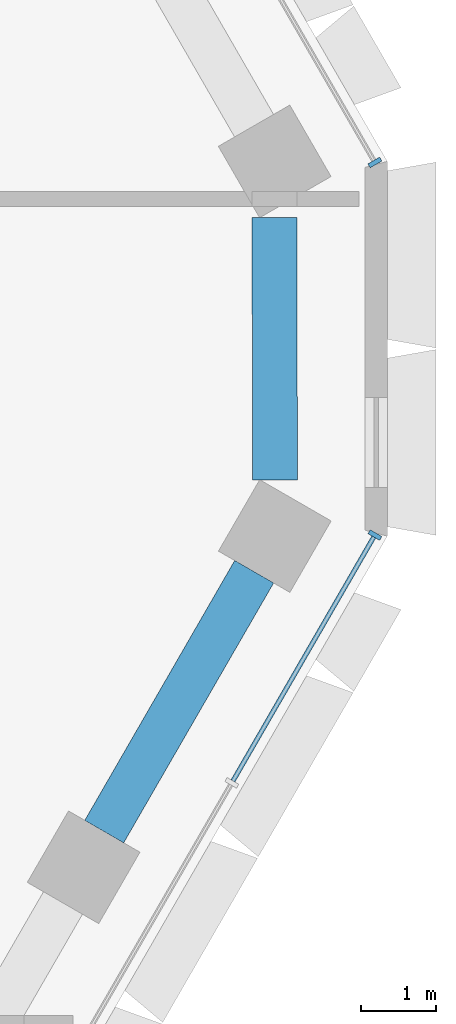
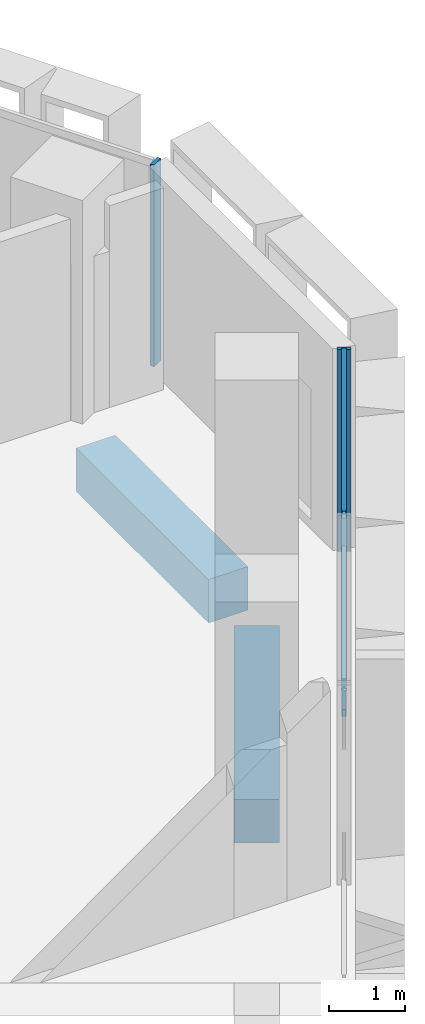
# One storey, part 5 of 22: 4 members, 2 beams, 2 elements without a shape of their own.
"""IFC4 building model written with IfcOpenShell, lengths in metres."""

from ifc_helpers import new_model, si_unit, direction, frame, origin, origin_2d, place, context, subcontext, project, spatial, rectangle, hollow_rectangle, extrude, material, material_profile, profile_set, type_object, element, aggregate, save


model = new_model("IFC4")

# Units and contexts
model_context = context("Model", 3, precision=1e-05, world=origin(), true_north=direction((0.0, 1.0)))
body_context = subcontext(model_context, "Body", "Model", "MODEL_VIEW")
ifc_project = project(units=[si_unit("LENGTHUNIT", "METRE"), si_unit("AREAUNIT", "SQUARE_METRE"), si_unit("VOLUMEUNIT", "CUBIC_METRE"), si_unit("PLANEANGLEUNIT", "RADIAN"), si_unit("MASSUNIT", "GRAM", prefix="KILO")], contexts=[model_context])

# Site, building, storey
site_placement = place(None, origin())
site = spatial("IfcSite", under=ifc_project, at=site_placement, CompositionType="ELEMENT")
building_placement = place(site_placement, origin())
building = spatial("IfcBuilding", under=site, at=building_placement, Name="Beryl Residences", CompositionType="ELEMENT")
storey_placement = place(building_placement, frame((0.0, 0.0, 12.60009765625)))
storey = spatial("IfcBuildingStorey", under=building, at=storey_placement, Name="L03", CompositionType="ELEMENT", Elevation=12.60009765625)

# Curtain wall, member
ifc_material_1 = material(Name="Aluminium and clear glass", Category="aluminium")
curtain_wall_type = type_object("IfcCurtainWallType", Name="CW2 amenity glazing glazed wall", PredefinedType="NOTDEFINED", material=ifc_material_1)
curtain_wall_1_placement = place(storey_placement, origin())
curtain_wall_1 = element("IfcCurtainWall", 1, at=curtain_wall_1_placement, inside=storey, type_object=curtain_wall_type, Name="CW2 L03 SE", PredefinedType="NOTDEFINED")
ifc_material_2 = material(Name="Aluminium", Category="aluminium")
ifc_material_profile_1 = material_profile(ifc_material_2, rectangle(XDim=0.06005859375, YDim=0.179931640625, at=origin_2d()))
ifc_profile_set_1 = profile_set([ifc_material_profile_1], Name="Aluminium")
member_type_1 = type_object("IfcMemberType", Name="CW2-M mullion 60 x 180 mm", PredefinedType="MULLION", material=ifc_profile_set_1)
member_1_placement = place(storey_placement, frame((31.18505859375, -2.486083984375, 0.0), z_axis=(0.0, 0.0, 1.0), x_axis=(0.500011643322, 0.866018681405, 0.0)))
member_1 = element("IfcMember", 2, at=member_1_placement, type_object=member_type_1, Name="CW2 mullion 8", PredefinedType="MULLION", context=body_context, shape_type="SweptSolid", body=[
    extrude(rectangle(XDim=0.06005859375, YDim=0.179931640625, at=origin_2d()), origin(), (0.0, 0.0, 1.0), 3.25),
])

curtain_wall_2_placement = place(storey_placement, origin())
curtain_wall_2 = element("IfcCurtainWall", 3, at=curtain_wall_2_placement, inside=storey, type_object=curtain_wall_type, Name="CW2 L03 NE", PredefinedType="NOTDEFINED")
member_2_placement = place(storey_placement, frame((31.18505859375, 2.486083984375, 0.0), z_axis=(0.0, 0.0, 1.0), x_axis=(-0.500011643322, 0.866018681405, 0.0)))
member_2 = element("IfcMember", 4, at=member_2_placement, type_object=member_type_1, Name="CW2 mullion 1", PredefinedType="MULLION", context=body_context, shape_type="SweptSolid", body=[
    extrude(rectangle(XDim=0.06005859375, YDim=0.179931640625, at=origin_2d()), origin(), (0.0, 0.0, 1.0), 3.25),
])
aggregate(curtain_wall_2, [member_2])

# Member
ifc_material_3 = material(Name="Aluminium", Category="aluminium")
ifc_material_profile_2 = material_profile(ifc_material_3, hollow_rectangle(XDim=0.06005859375, YDim=0.1201171875, WallThickness=0.00390625, at=origin_2d()))
ifc_profile_set_2 = profile_set([ifc_material_profile_2], Name="Aluminium")
member_type_2 = type_object("IfcMemberType", Name="CW2-T transom 60 x 120 mm", PredefinedType="USERDEFINED", material=ifc_profile_set_2)
member_3_placement = place(storey_placement, frame((29.290771484375, -5.766845703125, 0.02978515625), z_axis=(0.499988609959, 0.866031979728, 0.0), x_axis=(-0.866031979728, 0.499988609959, 0.0)))
member_3 = element("IfcMember", 5, at=member_3_placement, type_object=member_type_2, Name="CW2 transom 7.1", ObjectType="TRANSOM", PredefinedType="USERDEFINED", context=body_context, shape_type="SweptSolid", body=[
    extrude(hollow_rectangle(XDim=0.06005859375, YDim=0.1201171875, WallThickness=0.00390625, at=origin_2d()), origin(), (0.0, 0.0, 1.0), 3.75830078125),
])

member_4_placement = place(storey_placement, frame((29.290771484375, -5.766845703125, 3.219970703125), z_axis=(0.499988609959, 0.866031979728, 0.0), x_axis=(-0.866031979728, 0.499988609959, 0.0)))
member_4 = element("IfcMember", 6, at=member_4_placement, type_object=member_type_2, Name="CW2 transom 7.2", ObjectType="TRANSOM", PredefinedType="USERDEFINED", context=body_context, shape_type="SweptSolid", body=[
    extrude(hollow_rectangle(XDim=0.06005859375, YDim=0.1201171875, WallThickness=0.00390625, at=origin_2d()), origin(), (0.0, 0.0, 1.0), 3.75830078125),
])

aggregate(curtain_wall_1, [member_1, member_3, member_4])

# Beams
ifc_material_4 = material(Name="Concrete C80/95", Category="concrete")
ifc_material_profile_3 = material_profile(ifc_material_4, rectangle(XDim=0.60009765625, YDim=0.699951171875, at=origin_2d()))
ifc_profile_set_3 = profile_set([ifc_material_profile_3], Name="Concrete C80/95")
beam_type = type_object("IfcBeamType", Name="SB1 spandrel beam 600 x 700 C80/95", PredefinedType="SPANDREL", material=ifc_profile_set_3)
beam_1_placement = place(storey_placement, frame((27.572998046875, -6.443115234375, -0.7001953125), z_axis=(0.499759404093, 0.866164267342, 0.0), x_axis=(-0.866164267342, 0.499759404093, 0.0)))
element("IfcBeam", 7, at=beam_1_placement, inside=storey, type_object=beam_type, Name="SB1 L03 SE-4", PredefinedType="SPANDREL", context=body_context, shape_type="SweptSolid", body=[
    extrude(rectangle(XDim=0.60009765625, YDim=0.699951171875, at=origin_2d()), origin(), (0.0, 0.0, 1.0), 4.00390625),
])
beam_2_placement = place(storey_placement, frame((29.84912109375, -1.748046875, -0.7001953125), z_axis=(-0.000349064486, 0.999999939077, 0.0), x_axis=(-0.999999939077, -0.000349064486, 0.0)))
element("IfcBeam", 8, at=beam_2_placement, inside=storey, type_object=beam_type, Name="SB1 L03 SE-5", PredefinedType="SPANDREL", context=body_context, shape_type="SweptSolid", body=[
    extrude(rectangle(XDim=0.60009765625, YDim=0.699951171875, at=origin_2d()), origin(), (0.0, 0.0, 1.0), 3.4970703125),
])

save(model, "model.ifc")
